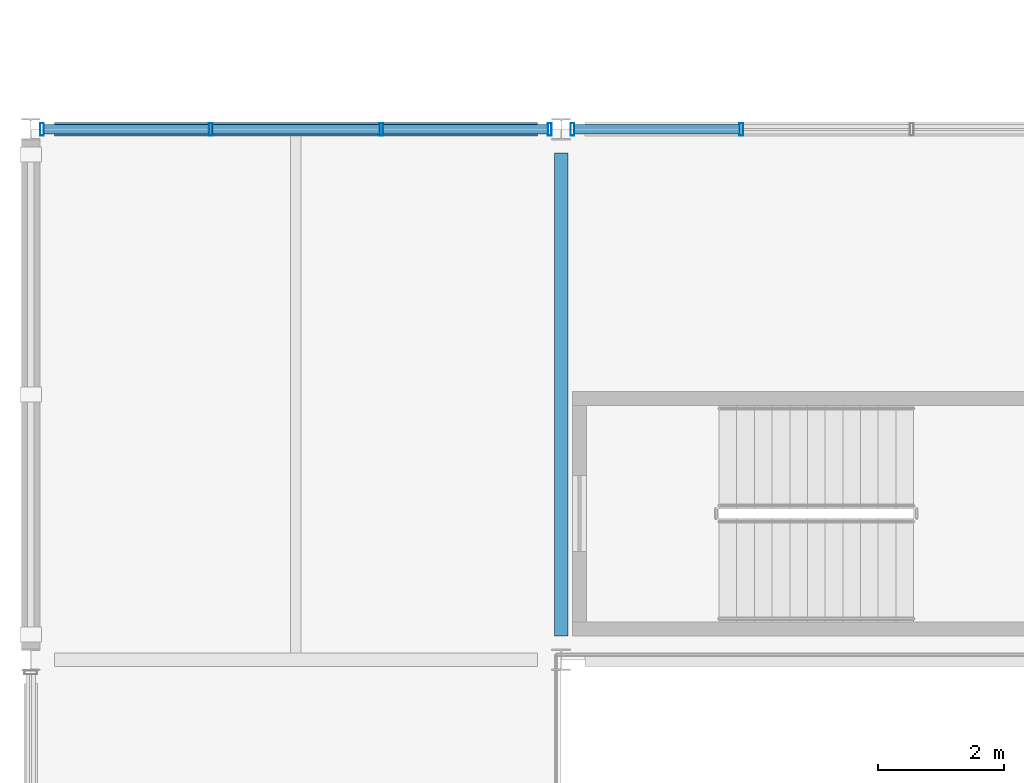
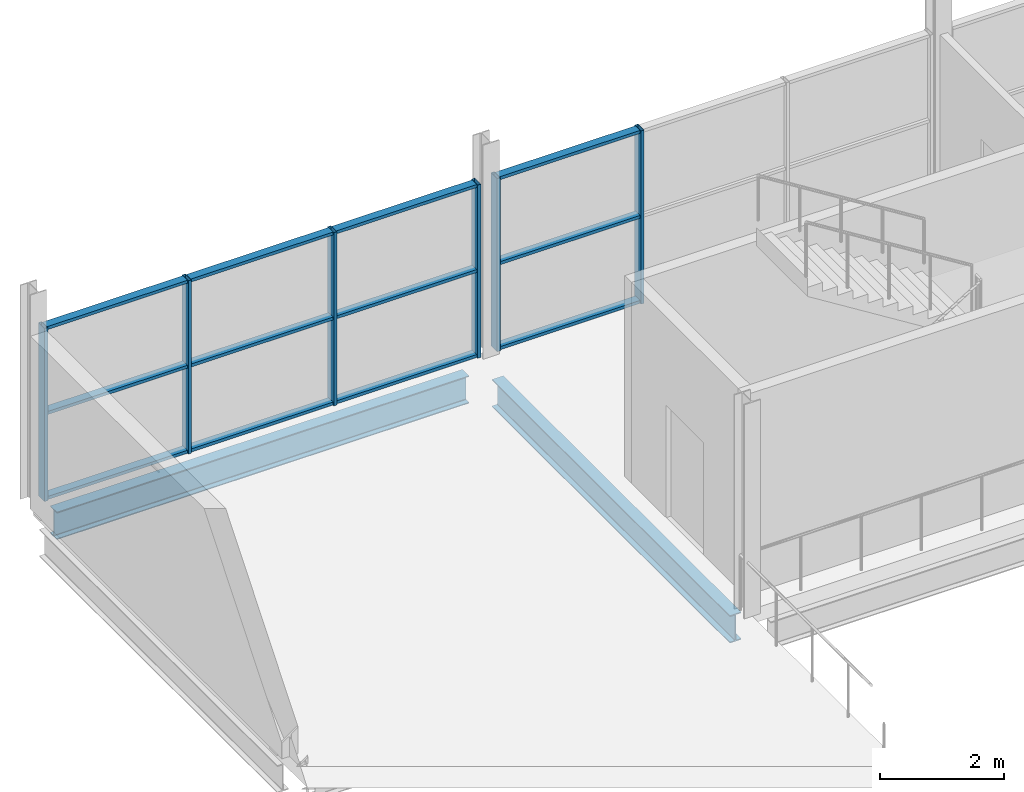
# One storey, part 50 of 161: 18 members, 2 beams, 2 elements without a shape of their own.
"""IFC4 building model written with IfcOpenShell, lengths in metres."""

from ifc_helpers import new_model, si_unit, direction, frame, origin, origin_2d, place, context, subcontext, project, spatial, hollow_rectangle, i_section, extrude, material, material_profile, profile_set, type_object, element, aggregate, save


model = new_model("IFC4")

# Units and contexts
model_context = context("Model", 3, precision=1e-05, world=origin(), true_north=direction((0.0, 1.0)))
body_context = subcontext(model_context, "Body", "Model", "MODEL_VIEW")
ifc_project = project(units=[si_unit("LENGTHUNIT", "METRE"), si_unit("AREAUNIT", "SQUARE_METRE"), si_unit("VOLUMEUNIT", "CUBIC_METRE"), si_unit("PLANEANGLEUNIT", "RADIAN"), si_unit("MASSUNIT", "GRAM", prefix="KILO"), si_unit("THERMODYNAMICTEMPERATUREUNIT", "KELVIN")], contexts=[model_context])

# Site, building, storey
site_placement = place(None, origin())
site = spatial("IfcSite", under=ifc_project, at=site_placement, CompositionType="ELEMENT")
building_placement = place(site_placement, origin())
building = spatial("IfcBuilding", under=site, at=building_placement, Name="Nduvali Passage Aquatics Centre", CompositionType="ELEMENT")
storey_placement = place(building_placement, frame((0.0, 0.0, 4.800048828125)))
storey = spatial("IfcBuildingStorey", under=building, at=storey_placement, Name="L01", CompositionType="ELEMENT", Elevation=4.800048828125)

# Curtain wall, members
ifc_material_1 = material(Name="Aluminium EN AW-6063 T6", Category="aluminium")
curtain_wall_type = type_object("IfcCurtainWallType", Name="ENV-CW-DIVE", PredefinedType="NOTDEFINED", material=ifc_material_1)
curtain_wall_1_placement = place(storey_placement, origin())
curtain_wall_1 = element("IfcCurtainWall", 1, at=curtain_wall_1_placement, inside=storey, type_object=curtain_wall_type, Name="L01 Diving Gallery Clerestory CW 155", PredefinedType="NOTDEFINED")
ifc_material_profile_1 = material_profile(ifc_material_1, hollow_rectangle(XDim=0.06005859375, YDim=0.199951171875, WallThickness=0.00390625, at=origin_2d()), Name="ALU MULLION 60x200x4")
ifc_profile_set_1 = profile_set([ifc_material_profile_1], Name="Aluminium EN AW-6063 T6")
member_type_1 = type_object("IfcMemberType", Name="ENV-MEM-MUL80", PredefinedType="MULLION", material=ifc_profile_set_1)
member_1_placement = place(storey_placement, frame((0.179931640625, 84.0, 0.0), z_axis=(0.0, 0.0, 1.0), x_axis=(1.0, 0.0, 0.0)))
member_1 = element("IfcMember", 2, at=member_1_placement, type_object=member_type_1, Name="Diving Gallery Clerestory CW Mullion 1", PredefinedType="MULLION", context=body_context, shape_type="SweptSolid", body=[
    extrude(hollow_rectangle(XDim=0.06005859375, YDim=0.199951171875, WallThickness=0.00390625, at=origin_2d()), origin(), (0.0, 0.0, 1.0), 3.396484375),
])
member_2_placement = place(storey_placement, frame((2.85009765625, 84.0, 0.0), z_axis=(0.0, 0.0, 1.0), x_axis=(1.0, 0.0, 0.0)))
member_2 = element("IfcMember", 3, at=member_2_placement, type_object=member_type_1, Name="Diving Gallery Clerestory CW Mullion 2", PredefinedType="MULLION", context=body_context, shape_type="SweptSolid", body=[
    extrude(hollow_rectangle(XDim=0.06005859375, YDim=0.199951171875, WallThickness=0.00390625, at=origin_2d()), origin(), (0.0, 0.0, 1.0), 3.396484375),
])
member_3_placement = place(storey_placement, frame((5.550048828125, 84.0, 0.0), z_axis=(0.0, 0.0, 1.0), x_axis=(1.0, 0.0, 0.0)))
member_3 = element("IfcMember", 4, at=member_3_placement, type_object=member_type_1, Name="Diving Gallery Clerestory CW Mullion 3", PredefinedType="MULLION", context=body_context, shape_type="SweptSolid", body=[
    extrude(hollow_rectangle(XDim=0.06005859375, YDim=0.199951171875, WallThickness=0.00390625, at=origin_2d()), origin(), (0.0, 0.0, 1.0), 3.396484375),
])
member_4_placement = place(storey_placement, frame((8.219970703125, 84.0, 0.0), z_axis=(0.0, 0.0, 1.0), x_axis=(1.0, 0.0, 0.0)))
member_4 = element("IfcMember", 5, at=member_4_placement, type_object=member_type_1, Name="Diving Gallery Clerestory CW Mullion 4", PredefinedType="MULLION", context=body_context, shape_type="SweptSolid", body=[
    extrude(hollow_rectangle(XDim=0.06005859375, YDim=0.199951171875, WallThickness=0.00390625, at=origin_2d()), origin(), (0.0, 0.0, 1.0), 3.396484375),
])

curtain_wall_2_placement = place(storey_placement, origin())
curtain_wall_2 = element("IfcCurtainWall", 6, at=curtain_wall_2_placement, inside=storey, type_object=curtain_wall_type, Name="L01 Diving Gallery Clerestory CW 157", PredefinedType="NOTDEFINED")
member_5_placement = place(storey_placement, frame((8.580078125, 84.0, 0.0), z_axis=(0.0, 0.0, 1.0), x_axis=(1.0, 0.0, 0.0)))
member_5 = element("IfcMember", 7, at=member_5_placement, type_object=member_type_1, Name="Diving Gallery Clerestory CW Mullion 1", PredefinedType="MULLION", context=body_context, shape_type="SweptSolid", body=[
    extrude(hollow_rectangle(XDim=0.06005859375, YDim=0.199951171875, WallThickness=0.00390625, at=origin_2d()), origin(), (0.0, 0.0, 1.0), 3.396484375),
])
member_6_placement = place(storey_placement, frame((11.25, 84.0, 0.0), z_axis=(0.0, 0.0, 1.0), x_axis=(1.0, 0.0, 0.0)))
member_6 = element("IfcMember", 8, at=member_6_placement, type_object=member_type_1, Name="Diving Gallery Clerestory CW Mullion 2", PredefinedType="MULLION", context=body_context, shape_type="SweptSolid", body=[
    extrude(hollow_rectangle(XDim=0.06005859375, YDim=0.199951171875, WallThickness=0.00390625, at=origin_2d()), origin(), (0.0, 0.0, 1.0), 3.396484375),
])

# Member
ifc_material_profile_2 = material_profile(ifc_material_1, hollow_rectangle(XDim=0.14990234375, YDim=0.06005859375, WallThickness=0.00390625, at=origin_2d()), Name="ALU TRANSOM 150x60x4")
ifc_profile_set_2 = profile_set([ifc_material_profile_2], Name="Aluminium EN AW-6063 T6")
member_type_2 = type_object("IfcMemberType", Name="ENV-MEM-TRN80", PredefinedType="USERDEFINED", material=ifc_profile_set_2)
member_7_placement = place(storey_placement, frame((0.2099609375, 84.0, 0.030029296875), z_axis=(1.0, 0.0, 0.0), x_axis=(0.0, 1.0, 0.0)))
member_7 = element("IfcMember", 9, at=member_7_placement, type_object=member_type_2, Name="Diving Gallery Clerestory CW Transom B1-R0", ObjectType="TRANSOM", PredefinedType="USERDEFINED", context=body_context, shape_type="SweptSolid", body=[
    extrude(hollow_rectangle(XDim=0.14990234375, YDim=0.06005859375, WallThickness=0.00390625, at=origin_2d()), origin(), (0.0, 0.0, 1.0), 2.610107421875),
])

member_8_placement = place(storey_placement, frame((0.2099609375, 84.0, 1.6982421875), z_axis=(1.0, 0.0, 0.0), x_axis=(0.0, 1.0, 0.0)))
member_8 = element("IfcMember", 10, at=member_8_placement, type_object=member_type_2, Name="Diving Gallery Clerestory CW Transom B1-R1", ObjectType="TRANSOM", PredefinedType="USERDEFINED", context=body_context, shape_type="SweptSolid", body=[
    extrude(hollow_rectangle(XDim=0.14990234375, YDim=0.06005859375, WallThickness=0.00390625, at=origin_2d()), origin(), (0.0, 0.0, 1.0), 2.610107421875),
])

member_9_placement = place(storey_placement, frame((0.2099609375, 84.0, 3.366455078125), z_axis=(1.0, 0.0, 0.0), x_axis=(0.0, 1.0, 0.0)))
member_9 = element("IfcMember", 11, at=member_9_placement, type_object=member_type_2, Name="Diving Gallery Clerestory CW Transom B1-R2", ObjectType="TRANSOM", PredefinedType="USERDEFINED", context=body_context, shape_type="SweptSolid", body=[
    extrude(hollow_rectangle(XDim=0.14990234375, YDim=0.06005859375, WallThickness=0.00390625, at=origin_2d()), origin(), (0.0, 0.0, 1.0), 2.610107421875),
])

member_10_placement = place(storey_placement, frame((2.8798828125, 84.0, 0.030029296875), z_axis=(1.0, 0.0, 0.0), x_axis=(0.0, 1.0, 0.0)))
member_10 = element("IfcMember", 12, at=member_10_placement, type_object=member_type_2, Name="Diving Gallery Clerestory CW Transom B2-R0", ObjectType="TRANSOM", PredefinedType="USERDEFINED", context=body_context, shape_type="SweptSolid", body=[
    extrude(hollow_rectangle(XDim=0.14990234375, YDim=0.06005859375, WallThickness=0.00390625, at=origin_2d()), origin(), (0.0, 0.0, 1.0), 2.64013671875),
])

member_11_placement = place(storey_placement, frame((2.8798828125, 84.0, 1.6982421875), z_axis=(1.0, 0.0, 0.0), x_axis=(0.0, 1.0, 0.0)))
member_11 = element("IfcMember", 13, at=member_11_placement, type_object=member_type_2, Name="Diving Gallery Clerestory CW Transom B2-R1", ObjectType="TRANSOM", PredefinedType="USERDEFINED", context=body_context, shape_type="SweptSolid", body=[
    extrude(hollow_rectangle(XDim=0.14990234375, YDim=0.06005859375, WallThickness=0.00390625, at=origin_2d()), origin(), (0.0, 0.0, 1.0), 2.64013671875),
])

member_12_placement = place(storey_placement, frame((2.8798828125, 84.0, 3.366455078125), z_axis=(1.0, 0.0, 0.0), x_axis=(0.0, 1.0, 0.0)))
member_12 = element("IfcMember", 14, at=member_12_placement, type_object=member_type_2, Name="Diving Gallery Clerestory CW Transom B2-R2", ObjectType="TRANSOM", PredefinedType="USERDEFINED", context=body_context, shape_type="SweptSolid", body=[
    extrude(hollow_rectangle(XDim=0.14990234375, YDim=0.06005859375, WallThickness=0.00390625, at=origin_2d()), origin(), (0.0, 0.0, 1.0), 2.64013671875),
])

member_13_placement = place(storey_placement, frame((5.580078125, 84.0, 0.030029296875), z_axis=(1.0, 0.0, 0.0), x_axis=(0.0, 1.0, 0.0)))
member_13 = element("IfcMember", 15, at=member_13_placement, type_object=member_type_2, Name="Diving Gallery Clerestory CW Transom B3-R0", ObjectType="TRANSOM", PredefinedType="USERDEFINED", context=body_context, shape_type="SweptSolid", body=[
    extrude(hollow_rectangle(XDim=0.14990234375, YDim=0.06005859375, WallThickness=0.00390625, at=origin_2d()), origin(), (0.0, 0.0, 1.0), 2.60986328125),
])

member_14_placement = place(storey_placement, frame((5.580078125, 84.0, 1.6982421875), z_axis=(1.0, 0.0, 0.0), x_axis=(0.0, 1.0, 0.0)))
member_14 = element("IfcMember", 16, at=member_14_placement, type_object=member_type_2, Name="Diving Gallery Clerestory CW Transom B3-R1", ObjectType="TRANSOM", PredefinedType="USERDEFINED", context=body_context, shape_type="SweptSolid", body=[
    extrude(hollow_rectangle(XDim=0.14990234375, YDim=0.06005859375, WallThickness=0.00390625, at=origin_2d()), origin(), (0.0, 0.0, 1.0), 2.60986328125),
])

member_15_placement = place(storey_placement, frame((5.580078125, 84.0, 3.366455078125), z_axis=(1.0, 0.0, 0.0), x_axis=(0.0, 1.0, 0.0)))
member_15 = element("IfcMember", 17, at=member_15_placement, type_object=member_type_2, Name="Diving Gallery Clerestory CW Transom B3-R2", ObjectType="TRANSOM", PredefinedType="USERDEFINED", context=body_context, shape_type="SweptSolid", body=[
    extrude(hollow_rectangle(XDim=0.14990234375, YDim=0.06005859375, WallThickness=0.00390625, at=origin_2d()), origin(), (0.0, 0.0, 1.0), 2.60986328125),
])

aggregate(curtain_wall_1, [member_1, member_2, member_3, member_4, member_7, member_8, member_9, member_10, member_11, member_12, member_13, member_14, member_15])

member_16_placement = place(storey_placement, frame((8.610107421875, 84.0, 0.030029296875), z_axis=(1.0, 0.0, 0.0), x_axis=(0.0, 1.0, 0.0)))
member_16 = element("IfcMember", 18, at=member_16_placement, type_object=member_type_2, Name="Diving Gallery Clerestory CW Transom B1-R0", ObjectType="TRANSOM", PredefinedType="USERDEFINED", context=body_context, shape_type="SweptSolid", body=[
    extrude(hollow_rectangle(XDim=0.14990234375, YDim=0.06005859375, WallThickness=0.00390625, at=origin_2d()), origin(), (0.0, 0.0, 1.0), 2.60986328125),
])

member_17_placement = place(storey_placement, frame((8.610107421875, 84.0, 1.6982421875), z_axis=(1.0, 0.0, 0.0), x_axis=(0.0, 1.0, 0.0)))
member_17 = element("IfcMember", 19, at=member_17_placement, type_object=member_type_2, Name="Diving Gallery Clerestory CW Transom B1-R1", ObjectType="TRANSOM", PredefinedType="USERDEFINED", context=body_context, shape_type="SweptSolid", body=[
    extrude(hollow_rectangle(XDim=0.14990234375, YDim=0.06005859375, WallThickness=0.00390625, at=origin_2d()), origin(), (0.0, 0.0, 1.0), 2.60986328125),
])

member_18_placement = place(storey_placement, frame((8.610107421875, 84.0, 3.366455078125), z_axis=(1.0, 0.0, 0.0), x_axis=(0.0, 1.0, 0.0)))
member_18 = element("IfcMember", 20, at=member_18_placement, type_object=member_type_2, Name="Diving Gallery Clerestory CW Transom B1-R2", ObjectType="TRANSOM", PredefinedType="USERDEFINED", context=body_context, shape_type="SweptSolid", body=[
    extrude(hollow_rectangle(XDim=0.14990234375, YDim=0.06005859375, WallThickness=0.00390625, at=origin_2d()), origin(), (0.0, 0.0, 1.0), 2.60986328125),
])

aggregate(curtain_wall_2, [member_5, member_6, member_16, member_17, member_18])

# Beams
ifc_material_2 = material(Name="Steel S355", Category="steel")
ifc_material_profile_3 = material_profile(ifc_material_2, i_section(OverallWidth=0.210693359375, OverallDepth=0.53955078125, WebThickness=0.01171875, FlangeThickness=0.018798828125, FilletRadius=0.0126953125, at=origin_2d()), Name="UKB 533x210x109")
ifc_profile_set_3 = profile_set([ifc_material_profile_3], Name="Steel S355")
beam_type = type_object("IfcBeamType", Name="STR-BM-UKB533", PredefinedType="BEAM", material=ifc_profile_set_3)
for number, where, z_axis, x_axis, name in (
    (21, (0.375, 84.0, -0.553955078125), (1.0, 0.0, 0.0), (0.0, 1.0, 0.0), "L01 Primary X-Girder B6-0508"),
    (22, (8.39990234375, 75.97509765625, -0.553955078125), (0.0, 1.0, 0.0), (-1.0, 0.0, 0.0), "L01 Primary Y-Girder B6-0565"),
):
    element("IfcBeam", number, at=place(storey_placement, frame(where, z_axis=z_axis, x_axis=x_axis)), inside=storey, type_object=beam_type, Name=name, PredefinedType="BEAM", context=body_context, shape_type="SweptSolid", body=[
        extrude(i_section(OverallWidth=0.210693359375, OverallDepth=0.53955078125, WebThickness=0.01171875, FlangeThickness=0.018798828125, FilletRadius=0.0126953125, at=origin_2d()), origin(), (0.0, 0.0, 1.0), 7.64990234375),
    ])

save(model, "model.ifc")
